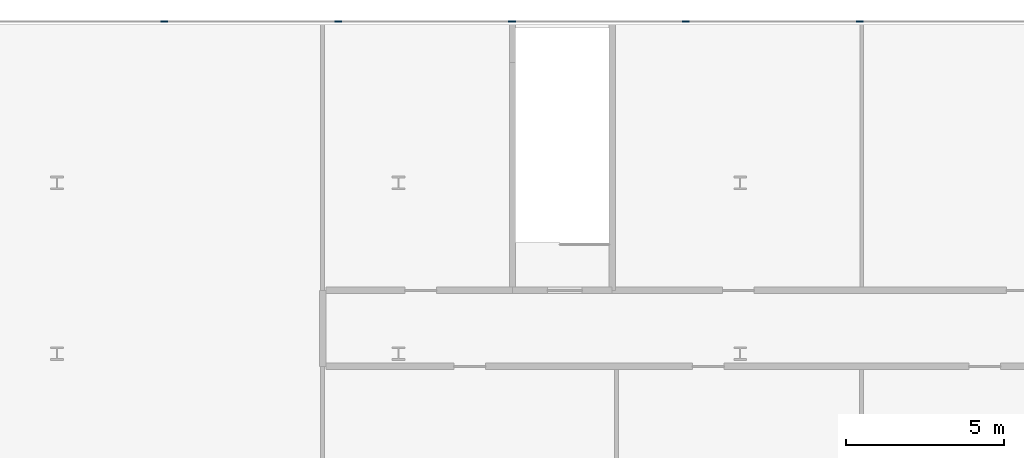
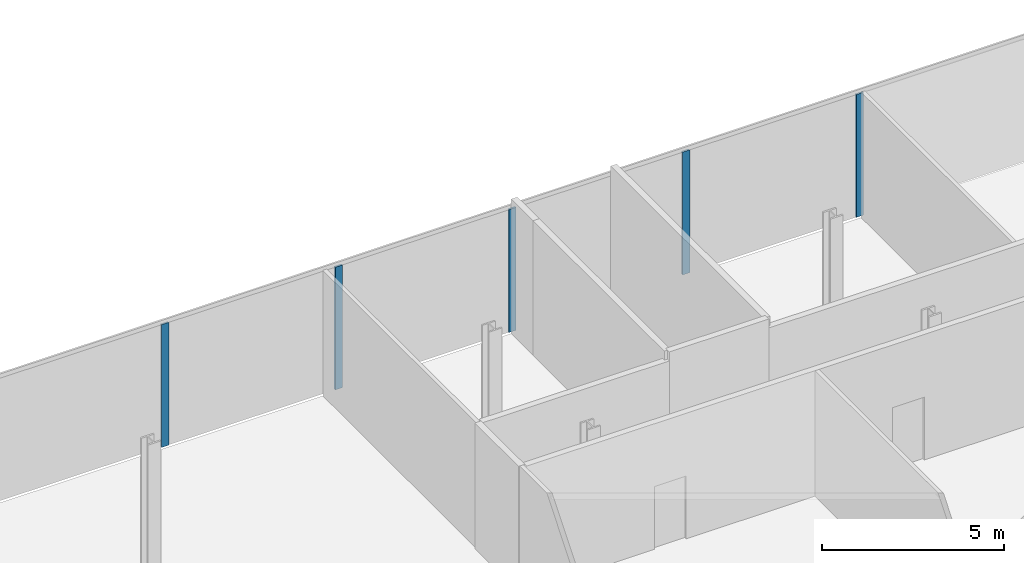
# One storey, part 18 of 43: 5 members, 1 element without a shape of its own.
"""IFC4 building model written with IfcOpenShell, lengths in metres."""

from ifc_helpers import new_model, si_unit, direction, frame, origin, origin_2d, place, context, subcontext, project, spatial, rectangle, extrude, material, layer, layer_set, material_profile, profile_set, type_object, element, aggregate, save


model = new_model("IFC4")

# Units and contexts
model_context = context("Model", 3, precision=1e-05, world=origin(), true_north=direction((0.0, 1.0)))
body_context = subcontext(model_context, "Body", "Model", "MODEL_VIEW")
ifc_project = project(units=[si_unit("LENGTHUNIT", "METRE"), si_unit("AREAUNIT", "SQUARE_METRE"), si_unit("VOLUMEUNIT", "CUBIC_METRE"), si_unit("PLANEANGLEUNIT", "RADIAN"), si_unit("MASSUNIT", "GRAM", prefix="KILO")], contexts=[model_context])

# Site, building, storey
site_placement = place(None, origin())
site = spatial("IfcSite", under=ifc_project, at=site_placement, CompositionType="ELEMENT")
building_placement = place(site_placement, origin())
building = spatial("IfcBuilding", under=site, at=building_placement, Name="Kheshtan School and Residences Tower", CompositionType="ELEMENT")
storey_placement = place(building_placement, frame((0.0, 0.0, 26.0)))
storey = spatial("IfcBuildingStorey", under=building, at=storey_placement, Name="L05", CompositionType="ELEMENT", Elevation=26.0)

# Curtain wall, members
ifc_material_1 = material(Name="Clear low-e glass in thermally broken aluminium frame", Category="aluminium")
ifc_layer = layer(ifc_material_1, 0.22509765625)
ifc_layer_set = layer_set([ifc_layer], Name="Curtain wall CW-P")
curtain_wall_type = type_object("IfcCurtainWallType", Name="Curtain wall CW-P", PredefinedType="NOTDEFINED", material=ifc_layer_set)
curtain_wall_placement = place(storey_placement, origin())
curtain_wall = element("IfcCurtainWall", 1, at=curtain_wall_placement, inside=storey, type_object=curtain_wall_type, Name="Curtain wall CWP4a", PredefinedType="NOTDEFINED")
ifc_material_2 = material(Name="Thermally broken aluminium, dark bronze anodised", Category="aluminium")
ifc_material_profile = material_profile(ifc_material_2, rectangle(XDim=0.06005859375, YDim=0.22509765625, at=origin_2d()), Name="CW-P mullion 60x225")
ifc_profile_set = profile_set([ifc_material_profile], Name="Thermally broken aluminium, dark bronze anodised")
member_type = type_object("IfcMemberType", Name="CW-P mullion 60x225", PredefinedType="MULLION", material=ifc_profile_set)
member_1_placement = place(storey_placement, frame((50.989013671875, 110.10009765625, 0.0), z_axis=(0.0, 0.0, 1.0), x_axis=(0.0, 1.0, 0.0)))
member_1 = element("IfcMember", 2, at=member_1_placement, type_object=member_type, Name="CWP4a mullion 7", PredefinedType="MULLION", context=body_context, shape_type="SweptSolid", body=[
    extrude(rectangle(XDim=0.06005859375, YDim=0.22509765625, at=origin_2d()), origin(), (0.0, 0.0, 1.0), 4.110107421875),
])
member_2_placement = place(storey_placement, frame((56.4873046875, 110.10009765625, 0.0), z_axis=(0.0, 0.0, 1.0), x_axis=(0.0, 1.0, 0.0)))
member_2 = element("IfcMember", 3, at=member_2_placement, type_object=member_type, Name="CWP4a mullion 8", PredefinedType="MULLION", context=body_context, shape_type="SweptSolid", body=[
    extrude(rectangle(XDim=0.06005859375, YDim=0.22509765625, at=origin_2d()), origin(), (0.0, 0.0, 1.0), 4.110107421875),
])
member_3_placement = place(storey_placement, frame((61.9853515625, 110.10009765625, 0.0), z_axis=(0.0, 0.0, 1.0), x_axis=(0.0, 1.0, 0.0)))
member_3 = element("IfcMember", 4, at=member_3_placement, type_object=member_type, Name="CWP4a mullion 9", PredefinedType="MULLION", context=body_context, shape_type="SweptSolid", body=[
    extrude(rectangle(XDim=0.06005859375, YDim=0.22509765625, at=origin_2d()), origin(), (0.0, 0.0, 1.0), 4.110107421875),
])
member_4_placement = place(storey_placement, frame((67.483642578125, 110.10009765625, 0.0), z_axis=(0.0, 0.0, 1.0), x_axis=(0.0, 1.0, 0.0)))
member_4 = element("IfcMember", 5, at=member_4_placement, type_object=member_type, Name="CWP4a mullion 10", PredefinedType="MULLION", context=body_context, shape_type="SweptSolid", body=[
    extrude(rectangle(XDim=0.06005859375, YDim=0.22509765625, at=origin_2d()), origin(), (0.0, 0.0, 1.0), 4.110107421875),
])
member_5_placement = place(storey_placement, frame((72.98193359375, 110.10009765625, 0.0), z_axis=(0.0, 0.0, 1.0), x_axis=(0.0, 1.0, 0.0)))
member_5 = element("IfcMember", 6, at=member_5_placement, type_object=member_type, Name="CWP4a mullion 11", PredefinedType="MULLION", context=body_context, shape_type="SweptSolid", body=[
    extrude(rectangle(XDim=0.06005859375, YDim=0.22509765625, at=origin_2d()), origin(), (0.0, 0.0, 1.0), 4.110107421875),
])
aggregate(curtain_wall, [member_1, member_2, member_3, member_4, member_5])

save(model, "model.ifc")
